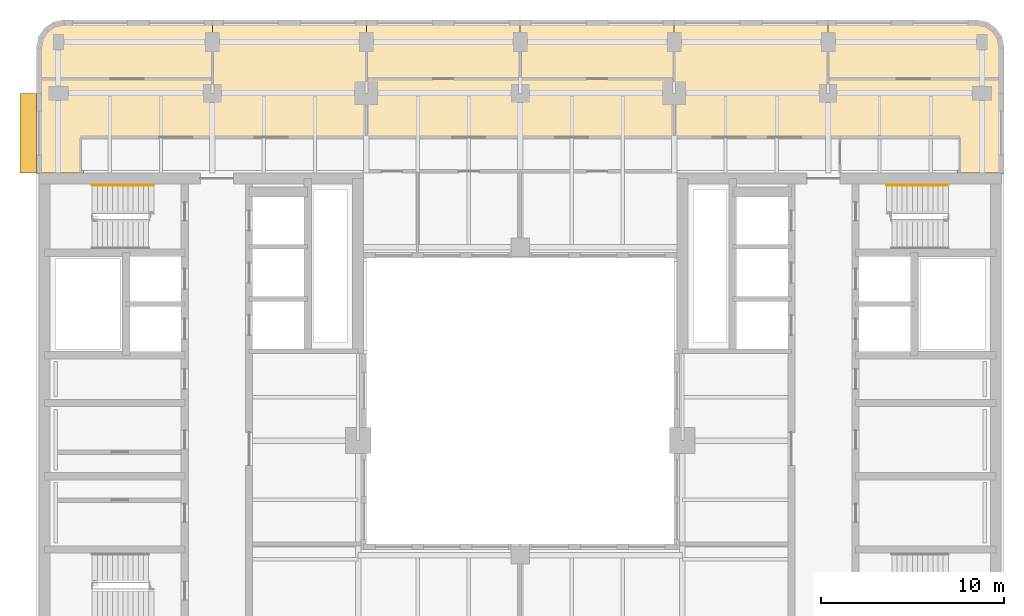
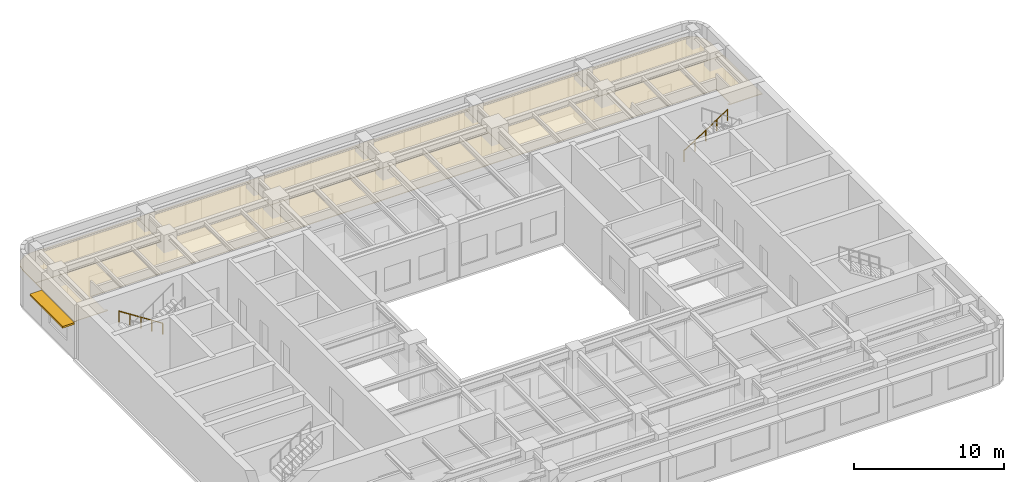
# One storey, part 11 of 11: 7 coverings, 2 railings, 1 shading device.
"""IFC4 building model written with IfcOpenShell, lengths in metres."""

import ifcopenshell
import ifcopenshell.guid

model = None  # the IFC model being written
_history = None  # IfcOwnerHistory: only IFC2X3 demands one
_inside = {}  # id of a spatial element -> (the spatial element, [elements in it])
_under = {}  # id of a project, library or spatial element -> (it, [spatial elements below it])
_declared = {}  # id of a project -> (the project, [libraries it declares])
_typed = {}  # id of a type object -> (the type object, [elements of that type])
_made_of = {}  # id of a material, layer set ... -> (it, [elements and type objects made of it])


def new_model(schema):
    """Start an empty IFC model of exactly this schema.

    Asked for "IFC4X3", IfcOpenShell would pick the latest addendum, in which some entities
    have other attributes; the version numbers below select the first issue.
    IFC2X3 requires an IfcOwnerHistory on every rooted entity: one is made here for all.
    """
    global model, _history
    if schema == "IFC4X3":
        model = ifcopenshell.file(schema_version=(4, 3, 0, 0))
    else:
        model = ifcopenshell.file(schema=schema)
    _inside.clear()
    _under.clear()
    _declared.clear()
    _typed.clear()
    _made_of.clear()
    _history = None
    if model.schema == "IFC2X3":
        org = make("IfcOrganization", Name="unknown")
        user = make(
            "IfcPersonAndOrganization",
            ThePerson=make("IfcPerson", FamilyName="unknown"),
            TheOrganization=org,
        )
        app = make(
            "IfcApplication",
            ApplicationDeveloper=org,
            Version="unknown",
            ApplicationFullName="unknown",
            ApplicationIdentifier="unknown",
        )
        _history = make(
            "IfcOwnerHistory",
            OwningUser=user,
            OwningApplication=app,
            ChangeAction="ADDED",
            CreationDate=0,
        )
    return model


def make(cls, **values):
    """One entity of the class cls with the attributes given. An attribute that is None is left unset."""
    return model.create_entity(
        cls, **{name: value for name, value in values.items() if value is not None}
    )


def rooted(cls, **values):
    """An entity with a GlobalId (a new one), such as an element, a storey or a relation."""
    return make(cls, GlobalId=ifcopenshell.guid.new(), OwnerHistory=_history, **values)


def si_unit(unit_type, name, prefix=None):
    """IfcSIUnit, for example si_unit("LENGTHUNIT", "METRE", prefix="MILLI")."""
    return make("IfcSIUnit", UnitType=unit_type, Prefix=prefix, Name=name)


def assignment(units):
    """IfcUnitAssignment: the units of a project."""
    return None if units is None else make("IfcUnitAssignment", Units=units)


def point(xyz):
    """IfcCartesianPoint."""
    return None if xyz is None else make("IfcCartesianPoint", Coordinates=xyz)


def direction(xyz):
    """IfcDirection."""
    return None if xyz is None else make("IfcDirection", DirectionRatios=xyz)


def frame(location, z_axis=None, x_axis=None):
    """IfcAxis2Placement3D, a coordinate frame: its origin and axes. An axis left out is left unset."""
    return make(
        "IfcAxis2Placement3D",
        Location=point(location),
        Axis=direction(z_axis),
        RefDirection=direction(x_axis),
    )


def frame_2d(location, x_axis=None):
    """IfcAxis2Placement2D, a coordinate frame in the plane: its origin and x axis."""
    return make(
        "IfcAxis2Placement2D", Location=point(location), RefDirection=direction(x_axis)
    )


def origin():
    """The frame at (0, 0, 0) with its axes left unset."""
    return frame((0.0, 0.0, 0.0))


def origin_2d():
    """The frame at (0, 0) in the plane with its x axis left unset."""
    return frame_2d((0.0, 0.0))


def place(relative_to, where):
    """IfcLocalPlacement: puts the frame where relative to a parent placement (None: the world)."""
    return make(
        "IfcLocalPlacement", PlacementRelTo=relative_to, RelativePlacement=where
    )


def context(
    kind, dimensions, precision=None, world=None, true_north=None, identifier=None
):
    """IfcGeometricRepresentationContext, for example the 3D "Model" context."""
    return make(
        "IfcGeometricRepresentationContext",
        ContextIdentifier=identifier,
        ContextType=kind,
        CoordinateSpaceDimension=dimensions,
        Precision=precision,
        WorldCoordinateSystem=world,
        TrueNorth=true_north,
    )


def subcontext(parent, identifier, kind, view, scale=None):
    """IfcGeometricRepresentationSubContext, for example "Body" below "Model"."""
    return make(
        "IfcGeometricRepresentationSubContext",
        ContextIdentifier=identifier,
        ContextType=kind,
        ParentContext=parent,
        TargetScale=scale,
        TargetView=view,
    )


def project(units=None, contexts=None):
    """IfcProject with its units and contexts."""
    return rooted(
        "IfcProject",
        Name="project",
        RepresentationContexts=contexts,
        UnitsInContext=assignment(units),
    )


def spatial(cls, under=None, at=None, **own):
    """A site, building, storey or space (cls), placed at a placement, below another one or the project."""
    s = rooted(cls, ObjectPlacement=at, **own)
    if under is not None:
        _under.setdefault(under.id(), (under, []))[1].append(s)
    return s


def polyline(points):
    """IfcPolyline through the points."""
    return make("IfcPolyline", Points=[point(p) for p in points])


def profile(cls, at=None, kind="AREA", **sizes):
    """A parametric profile (cls). Its sizes go by their IFC names, for example OverallWidth=200.0."""
    return make(cls, ProfileType=kind, Position=at, **sizes)


def rectangle(**sizes):
    """IfcRectangleProfileDef."""
    return profile("IfcRectangleProfileDef", **sizes)


def circle(**sizes):
    """IfcCircleProfileDef."""
    return profile("IfcCircleProfileDef", **sizes)


def outline(outer, holes=None, kind="AREA"):
    """IfcArbitraryClosedProfileDef: a profile drawn as a closed curve; with holes, ...WithVoids."""
    if holes is None:
        return make("IfcArbitraryClosedProfileDef", ProfileType=kind, OuterCurve=outer)
    return make(
        "IfcArbitraryProfileDefWithVoids",
        ProfileType=kind,
        OuterCurve=outer,
        InnerCurves=holes,
    )


def extrude(swept, where, along, depth):
    """IfcExtrudedAreaSolid: the profile swept, set in the frame where, extruded along a direction by depth."""
    return make(
        "IfcExtrudedAreaSolid",
        SweptArea=swept,
        Position=where,
        ExtrudedDirection=direction(along),
        Depth=depth,
    )


def shape(context_of_items, identifier, shape_type, items):
    """IfcShapeRepresentation: the items that make up one representation, for example the "Body"."""
    return make(
        "IfcShapeRepresentation",
        ContextOfItems=context_of_items,
        RepresentationIdentifier=identifier,
        RepresentationType=shape_type,
        Items=items,
    )


def material(Name=None, Category=None):
    """IfcMaterial."""
    return make("IfcMaterial", Name=Name, Category=Category)


def layer(
    of_material, thickness, ventilated=None, Name=None, Category=None, Priority=None
):
    """IfcMaterialLayer: one layer of a wall or slab, of a material (None: an air gap)."""
    return make(
        "IfcMaterialLayer",
        Material=of_material,
        LayerThickness=thickness,
        IsVentilated=ventilated,
        Name=Name,
        Category=Category,
        Priority=Priority,
    )


def layer_set(layers, Name=None):
    """IfcMaterialLayerSet."""
    return make("IfcMaterialLayerSet", MaterialLayers=layers, LayerSetName=Name)


def made_of(thing, what):
    """Note that an element or type object is made of a material, layer set ...; save() writes the relation."""
    if what is not None:
        _made_of.setdefault(what.id(), (what, []))[1].append(thing)
    return thing


def type_object(cls, material=None, **own):
    """A type object (cls), such as IfcWallType, which elements share."""
    return made_of(rooted(cls, **own), material)


def element(
    cls,
    number,
    at=None,
    inside=None,
    cuts=None,
    type_object=None,
    material=None,
    context=None,
    identifier="Body",
    shape_type=None,
    held_by="IfcProductDefinitionShape",
    body=None,
    shapes=None,
    **own,
):
    """One element of the class cls, such as IfcWall. Its Tag is "e" and its number.

    at: its placement. inside: the storey or other place that contains it. cuts: it is an
    opening in that element (IfcRelVoidsElement). A single representation is given by context,
    identifier, shape_type and body (its items); several are given by shapes. held_by: the class
    of the entity that holds the representations. save() writes the other relations.
    """
    e = rooted(cls, Tag="e%d" % number, ObjectPlacement=at, **own)
    if body is not None:
        shapes = [shape(context, identifier, shape_type, body)]
    if shapes is not None:
        e.Representation = make(held_by, Representations=shapes)
    if inside is not None:
        _inside.setdefault(inside.id(), (inside, []))[1].append(e)
    if cuts is not None:
        rooted(
            "IfcRelVoidsElement", RelatingBuildingElement=cuts, RelatedOpeningElement=e
        )
    if type_object is not None:
        _typed.setdefault(type_object.id(), (type_object, []))[1].append(e)
    return made_of(e, material)


def aggregate(whole, parts):
    """IfcRelAggregates: a whole, such as a stair, and the parts it consists of."""
    return rooted("IfcRelAggregates", RelatingObject=whole, RelatedObjects=parts)


def save(model, path):
    """Write the relations noted so far, then the file.

    IfcRelAggregates (storeys below a building ...), IfcRelContainedInSpatialStructure (elements
    in a storey), IfcRelDefinesByType, IfcRelAssociatesMaterial and IfcRelDeclares: one each for
    every whole, place, type object, material and project.
    """
    for whole, parts in _under.values():
        aggregate(whole, parts)
    for where, things in _inside.values():
        rooted(
            "IfcRelContainedInSpatialStructure",
            RelatedElements=things,
            RelatingStructure=where,
        )
    for kind, things in _typed.values():
        rooted("IfcRelDefinesByType", RelatedObjects=things, RelatingType=kind)
    for what, things in _made_of.values():
        rooted("IfcRelAssociatesMaterial", RelatedObjects=things, RelatingMaterial=what)
    for by, libraries in _declared.values():
        rooted("IfcRelDeclares", RelatingContext=by, RelatedDefinitions=libraries)
    model.write(path)


model = new_model("IFC4")

# Units and contexts
model_context = context("Model", 3, precision=1e-05, world=origin(), true_north=direction((0.0, 1.0)))
body_context = subcontext(model_context, "Body", "Model", "MODEL_VIEW")
ifc_project = project(units=[si_unit("LENGTHUNIT", "METRE"), si_unit("AREAUNIT", "SQUARE_METRE"), si_unit("VOLUMEUNIT", "CUBIC_METRE"), si_unit("PLANEANGLEUNIT", "RADIAN"), si_unit("MASSUNIT", "GRAM", prefix="KILO")], contexts=[model_context])

# Site, building, storey
site_placement = place(None, origin())
site = spatial("IfcSite", under=ifc_project, at=site_placement, CompositionType="ELEMENT")
building_placement = place(site_placement, origin())
building = spatial("IfcBuilding", under=site, at=building_placement, Name="Claustro Exchange Tower", CompositionType="ELEMENT")
storey_placement = place(building_placement, frame((0.0, 0.0, 259.199951171875)))
storey = spatial("IfcBuildingStorey", under=building, at=storey_placement, Name="L59", CompositionType="ELEMENT", Elevation=259.199951171875)

# Coverings
ifc_material_1 = material(Name="Gypsum board ceiling", Category="gypsum board")
ifc_layer_1 = layer(ifc_material_1, 0.02490234375)
ifc_layer_set_1 = layer_set([ifc_layer_1], Name="Gypsum board ceiling")
covering_type_1 = type_object("IfcCoveringType", Name="CL2 plasterboard ceiling", PredefinedType="CEILING", material=ifc_layer_set_1)
covering_1_placement = place(storey_placement, frame((0.0, 0.0, 3.0)))
element("IfcCovering", 1, at=covering_1_placement, inside=storey, type_object=covering_type_1, Name="Ceiling CL2 L59-28", PredefinedType="CEILING", context=body_context, shape_type="SweptSolid", body=[
    extrude(outline(polyline([(50.10009765625, 46.0), (42.0, 46.0), (42.0, 42.800048828125), (51.60009765625, 42.800048828125), (51.60009765625, 44.5), (51.48583984375, 45.073974609375), (51.16064453125, 45.560791015625), (50.674072265625, 45.8857421875), (50.10009765625, 46.0)])), origin(), (0.0, 0.0, 1.0), 0.025146484375),
])
ifc_material_2 = material(Name="Oak slats on acoustic backing", Category="wood")
ifc_layer_2 = layer(ifc_material_2, 0.050048828125)
ifc_layer_set_2 = layer_set([ifc_layer_2], Name="Oak slats on acoustic backing")
covering_type_2 = type_object("IfcCoveringType", Name="CL3 timber slat ceiling", PredefinedType="CEILING", material=ifc_layer_set_2)
covering_2_placement = place(storey_placement, frame((0.0, 0.0, 3.0)))
element("IfcCovering", 2, at=covering_2_placement, inside=storey, type_object=covering_type_2, Name="Ceiling CL3 L59-22", PredefinedType="CEILING", context=body_context, shape_type="SweptSolid", body=[
    extrude(outline(polyline([(33.60009765625, 39.60009765625), (33.60009765625, 42.800048828125), (25.199951171875, 42.800048828125), (16.800048828125, 42.800048828125), (16.800048828125, 39.60009765625), (33.60009765625, 39.60009765625)])), origin(), (0.0, 0.0, 1.0), 0.050048828125),
])
covering_3_placement = place(storey_placement, frame((0.0, 0.0, 3.0)))
element("IfcCovering", 3, at=covering_3_placement, inside=storey, type_object=covering_type_2, Name="Ceiling CL3 L59-23", PredefinedType="CEILING", context=body_context, shape_type="SweptSolid", body=[
    extrude(outline(polyline([(-1.050048828125, 37.64990234375), (1.3701171875, 37.64990234375), (1.3701171875, 37.800048828125), (1.199951171875, 37.800048828125), (1.199951171875, 39.60009765625), (16.800048828125, 39.60009765625), (16.800048828125, 46.0), (8.39990234375, 46.0), (8.39990234375, 42.800048828125), (-1.199951171875, 42.800048828125), (-1.199951171875, 37.6298828125), (-1.050048828125, 37.6298828125), (-1.050048828125, 37.64990234375)])), origin(), (0.0, 0.0, 1.0), 0.050048828125),
])
covering_4_placement = place(storey_placement, frame((0.0, 0.0, 3.0)))
element("IfcCovering", 4, at=covering_4_placement, inside=storey, type_object=covering_type_2, Name="Ceiling CL3 L59-24", PredefinedType="CEILING", context=body_context, shape_type="SweptSolid", body=[
    extrude(outline(polyline([(51.449951171875, 37.64990234375), (51.449951171875, 37.6298828125), (51.60009765625, 37.6298828125), (51.60009765625, 42.800048828125), (42.0, 42.800048828125), (42.0, 46.0), (33.60009765625, 46.0), (33.60009765625, 39.60009765625), (49.199951171875, 39.60009765625), (49.199951171875, 37.800048828125), (49.030029296875, 37.800048828125), (49.030029296875, 37.64990234375), (51.449951171875, 37.64990234375)])), origin(), (0.0, 0.0, 1.0), 0.050048828125),
])
covering_5_placement = place(storey_placement, frame((0.0, 0.0, 3.0)))
element("IfcCovering", 5, at=covering_5_placement, inside=storey, type_object=covering_type_2, Name="Ceiling CL3 L59-25", PredefinedType="CEILING", context=body_context, shape_type="SweptSolid", body=[
    extrude(outline(polyline([(-1.199951171875, 44.5), (-1.199951171875, 42.800048828125), (8.39990234375, 42.800048828125), (8.39990234375, 46.0), (0.300048828125, 46.0), (-0.27392578125, 45.8857421875), (-0.7607421875, 45.560791015625), (-1.085693359375, 45.073974609375), (-1.199951171875, 44.5)])), origin(), (0.0, 0.0, 1.0), 0.050048828125),
])
covering_6_placement = place(storey_placement, frame((0.0, 0.0, 3.0)))
element("IfcCovering", 6, at=covering_6_placement, inside=storey, type_object=covering_type_2, Name="Ceiling CL3 L59-26", PredefinedType="CEILING", context=body_context, shape_type="SweptSolid", body=[
    extrude(outline(polyline([(25.199951171875, 46.0), (16.800048828125, 46.0), (16.800048828125, 42.800048828125), (25.199951171875, 42.800048828125), (25.199951171875, 46.0)])), origin(), (0.0, 0.0, 1.0), 0.050048828125),
])
covering_7_placement = place(storey_placement, frame((0.0, 0.0, 3.0)))
element("IfcCovering", 7, at=covering_7_placement, inside=storey, type_object=covering_type_2, Name="Ceiling CL3 L59-27", PredefinedType="CEILING", context=body_context, shape_type="SweptSolid", body=[
    extrude(outline(polyline([(33.60009765625, 46.0), (25.199951171875, 46.0), (25.199951171875, 42.800048828125), (33.60009765625, 42.800048828125), (33.60009765625, 46.0)])), origin(), (0.0, 0.0, 1.0), 0.050048828125),
])

# Railings
ifc_material_3 = material(Name="Stainless steel tube", Category="steel")
railing_type = type_object("IfcRailingType", Name="HR1 900 stair handrail", PredefinedType="HANDRAIL", material=ifc_material_3)
railing_1_placement = place(storey_placement, frame((5.199951171875, 36.989990234375, 0.179931640625)))
element("IfcRailing", 8, at=railing_1_placement, inside=storey, type_object=railing_type, Name="Handrail HR1 stair STWB L59", PredefinedType="HANDRAIL", context=body_context, shape_type="SweptSolid", body=[
    extrude(circle(Radius=0.02392578125, at=origin_2d()), frame((0.0, 0.0, 0.8759765625), z_axis=(-0.841150671818, 0.0, 0.540800838849), x_axis=(0.0, -1.0, 0.0)), (0.0, 0.0, 1.0), 3.994384765625),
    extrude(circle(Radius=0.02099609375, at=origin_2d()), origin(), (0.0, 0.0, 1.0), 0.851806640625),
    extrude(circle(Radius=0.02099609375, at=origin_2d()), frame((-0.83984375, 0.0, 0.5400390625)), (0.0, 0.0, 1.0), 0.851806640625),
    extrude(circle(Radius=0.02099609375, at=origin_2d()), frame((-1.679931640625, 0.0, 1.080078125)), (0.0, 0.0, 1.0), 0.851806640625),
    extrude(circle(Radius=0.02099609375, at=origin_2d()), frame((-2.52001953125, 0.0, 1.6201171875)), (0.0, 0.0, 1.0), 0.851806640625),
    extrude(circle(Radius=0.02099609375, at=origin_2d()), frame((-3.35986328125, 0.0, 2.16015625)), (0.0, 0.0, 1.0), 0.851806640625),
])
railing_2_placement = place(storey_placement, frame((45.199951171875, 36.989990234375, 0.179931640625)))
element("IfcRailing", 9, at=railing_2_placement, inside=storey, type_object=railing_type, Name="Handrail HR1 stair STEB L59", PredefinedType="HANDRAIL", context=body_context, shape_type="SweptSolid", body=[
    extrude(circle(Radius=0.02392578125, at=origin_2d()), frame((0.0, 0.0, 0.8759765625), z_axis=(0.8411685463, 0.0, 0.540773036232), x_axis=(0.0, 1.0, 0.0)), (0.0, 0.0, 1.0), 3.99462890625),
    extrude(circle(Radius=0.02099609375, at=origin_2d()), origin(), (0.0, 0.0, 1.0), 0.851806640625),
    extrude(circle(Radius=0.02099609375, at=origin_2d()), frame((0.840087890625, 0.0, 0.5400390625)), (0.0, 0.0, 1.0), 0.851806640625),
    extrude(circle(Radius=0.02099609375, at=origin_2d()), frame((1.68017578125, 0.0, 1.080078125)), (0.0, 0.0, 1.0), 0.851806640625),
    extrude(circle(Radius=0.02099609375, at=origin_2d()), frame((2.52001953125, 0.0, 1.6201171875)), (0.0, 0.0, 1.0), 0.851806640625),
    extrude(circle(Radius=0.02099609375, at=origin_2d()), frame((3.360107421875, 0.0, 2.16015625)), (0.0, 0.0, 1.0), 0.851806640625),
])

# Shading device
ifc_material_4 = material(Name="Concrete HA-40 (C40/50), precast, white cement, acid-etched", Category="concrete")
ifc_layer_3 = layer(ifc_material_4, 0.14990234375)
ifc_layer_set_3 = layer_set([ifc_layer_3], Name="Concrete HA-40 (C40/50), precast, white cement, acid-etched")
shading_device_type = type_object("IfcShadingDeviceType", Name="SS2 900 precast concrete SUNSHADE", PredefinedType="SHUTTER", material=ifc_layer_set_3)
shading_device_placement = place(storey_placement, frame((-1.64990234375, 39.824951171875, 2.800048828125), z_axis=(0.0, 0.0, 1.0), x_axis=(0.0, 1.0, 0.0)))
element("IfcShadingDevice", 10, at=shading_device_placement, inside=storey, type_object=shading_device_type, Name="Precast SUNSHADE SS2 L59", PredefinedType="SHUTTER", context=body_context, shape_type="SweptSolid", body=[
    extrude(rectangle(XDim=4.35009765625, YDim=0.89990234375, at=origin_2d()), origin(), (0.0, 0.0, 1.0), 0.14990234375),
])

save(model, "model.ifc")
